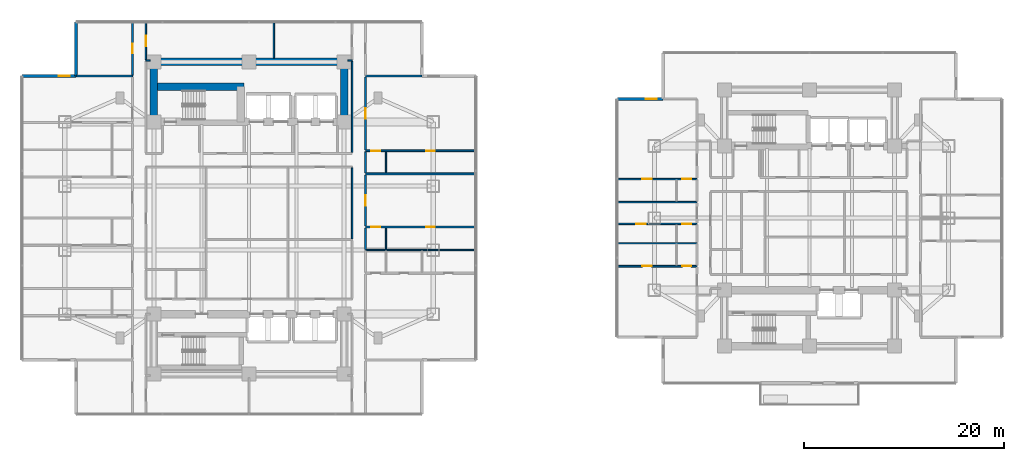
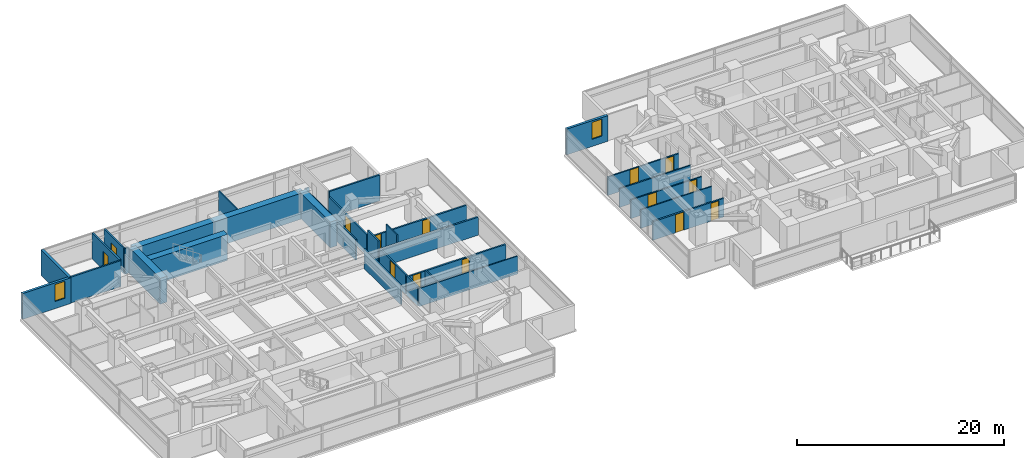
# One storey, part 17 of 27: 31 walls, 14 doors, 2 windows, 16 openings.
"""IFC4 building model written with IfcOpenShell, lengths in metres."""

from ifc_helpers import new_model, si_unit, direction, frame, frame_2d, origin, place, context, subcontext, project, spatial, rectangle, extrude, material, layer, layer_set, type_object, element, fill, save


model = new_model("IFC4")

# Units and contexts
model_context = context("Model", 3, precision=1e-05, world=origin(), true_north=direction((0.0, 1.0)))
body_context = subcontext(model_context, "Body", "Model", "MODEL_VIEW")
ifc_project = project(units=[si_unit("LENGTHUNIT", "METRE"), si_unit("AREAUNIT", "SQUARE_METRE"), si_unit("VOLUMEUNIT", "CUBIC_METRE"), si_unit("PLANEANGLEUNIT", "RADIAN"), si_unit("MASSUNIT", "GRAM", prefix="KILO")], contexts=[model_context])

# Site, building, storey
site_placement = place(None, origin())
site = spatial("IfcSite", under=ifc_project, at=site_placement, CompositionType="ELEMENT")
building_placement = place(site_placement, origin())
building = spatial("IfcBuilding", under=site, at=building_placement, Name="Mirazonda Arch Towers", CompositionType="ELEMENT")
storey_placement = place(building_placement, frame((0.0, 0.0, 42.199951171875)))
storey = spatial("IfcBuildingStorey", under=building, at=storey_placement, Name="L11", CompositionType="ELEMENT", Elevation=42.199951171875)

# Walls
ifc_material_1 = material(Name="Concrete C60/75", Category="concrete")
ifc_layer_1 = layer(ifc_material_1, 0.75, Name="WALL-CORE-750")
ifc_layer_set_1 = layer_set([ifc_layer_1], Name="Concrete C60/75")
wall_type_1 = type_object("IfcWallType", Name="WALL-CORE-750", PredefinedType="SHEAR", material=ifc_layer_set_1)
wall_1_placement = place(storey_placement, frame((11.0, 43.60009765625, 0.0), z_axis=(0.0, 0.0, 1.0), x_axis=(1.0, 0.0, 0.0)))
element("IfcWall", 1, at=wall_1_placement, inside=storey, type_object=wall_type_1, Name="L11 T1N-N Core Shear Wall", PredefinedType="SHEAR", context=body_context, shape_type="SweptSolid", body=[
    extrude(rectangle(XDim=19.0, YDim=0.75, at=frame_2d((9.5, 0.0))), origin(), (0.0, 0.0, 1.0), 3.06005859375),
])
for number, where, z_axis, x_axis, name in (
    (2, (11.0, 37.60009765625, 0.0), (0.0, 0.0, 1.0), (0.0, 1.0, 0.0), "L11 T1N-W Core Shear Wall"),
    (3, (30.0, 37.60009765625, 0.0), (0.0, 0.0, 1.0), (0.0, 1.0, 0.0), "L11 T1N-E Core Shear Wall"),
):
    element("IfcWall", number, at=place(storey_placement, frame(where, z_axis=z_axis, x_axis=x_axis)), inside=storey, type_object=wall_type_1, Name=name, PredefinedType="SHEAR", context=body_context, shape_type="SweptSolid", body=[
        extrude(rectangle(XDim=6.0, YDim=0.75, at=frame_2d((3.0, 0.0))), origin(), (0.0, 0.0, 1.0), 3.06005859375),
    ])
wall_2_placement = place(storey_placement, frame((11.0, 41.14306640625, 0.0), z_axis=(0.0, 0.0, 1.0), x_axis=(1.0, 0.0, 0.0)))
element("IfcWall", 4, at=wall_2_placement, inside=storey, type_object=wall_type_1, Name="L11 T1N-STN Core Shear Wall", PredefinedType="SHEAR", context=body_context, shape_type="SweptSolid", body=[
    extrude(rectangle(XDim=9.0, YDim=0.75, at=frame_2d((4.5, 0.0))), origin(), (0.0, 0.0, 1.0), 3.06005859375),
])

# Wall, opening, window
ifc_material_2 = material(Name="Precast Concrete C40/50", Category="concrete")
ifc_layer_2 = layer(ifc_material_2, 0.280029296875, Name="WALL-EXT-WALL-280")
ifc_layer_set_2 = layer_set([ifc_layer_2], Name="Precast Concrete C40/50")
wall_type_2 = type_object("IfcWallType", Name="WALL-EXT-WALL-280", PredefinedType="SOLIDWALL", material=ifc_layer_set_2)
wall_3_placement = place(storey_placement, frame((3.219970703125, 42.18798828125, 0.0), z_axis=(0.0, 0.0, 1.0), x_axis=(-1.0, 0.0, 0.0)))
wall_3 = element("IfcWall", 5, at=wall_3_placement, inside=storey, type_object=wall_type_2, Name="L11 T1 Corner Notch Return Wall WL-L11-T1-CNW1", PredefinedType="SOLIDWALL", context=body_context, shape_type="SweptSolid", body=[
    extrude(rectangle(XDim=5.3798828125, YDim=0.280029296875, at=frame_2d((2.68994140625, 0.0))), origin(), (0.0, 0.0, 1.0), 3.0400390625),
])
opening_1_placement = place(wall_3_placement, frame((0.64990234375, 0.0, 0.85009765625)))
opening_1 = element("IfcOpeningElement", 6, at=opening_1_placement, cuts=wall_3, Name="Opening WN-108", PredefinedType="OPENING", context=body_context, shape_type="SweptSolid", body=[
    extrude(rectangle(XDim=1.10009765625, YDim=2.0, at=frame_2d((0.550048828125, 1.0))), frame((0.0, 0.14990234375, 0.0), z_axis=(0.0, -1.0, 0.0), x_axis=(1.0, 0.0, 0.0)), (0.0, 0.0, 1.0), 0.300048828125),
])
ifc_material_3 = material(Name="Insulated Low-E Solar Glass", Category="glass")
window_type = type_object("IfcWindowType", Name="WIN-NOTCH-1100x2000", PartitioningType="SINGLE_PANEL", PredefinedType="WINDOW", material=ifc_material_3)
window_1_placement = place(opening_1_placement, origin())
window_1 = element("IfcWindow", 7, at=window_1_placement, inside=storey, type_object=window_type, Name="L11 Punched Facade Window WN-L11-T1-CNW1", OverallHeight=2.0, OverallWidth=1.10009765625, PartitioningType="SINGLE_PANEL", PredefinedType="WINDOW", context=body_context, shape_type="SweptSolid", body=[
    extrude(rectangle(XDim=1.10009765625, YDim=2.0, at=frame_2d((0.550048828125, 1.0))), frame((0.0, 0.030029296875, 0.0), z_axis=(0.0, -1.0, 0.0), x_axis=(1.0, 0.0, 0.0)), (0.0, 0.0, 1.0), 0.06005859375),
])
fill(opening_1, window_1)

# Wall
wall_4_placement = place(storey_placement, frame((3.219970703125, 47.568115234375, 0.0), z_axis=(0.0, 0.0, 1.0), x_axis=(0.0, -1.0, 0.0)))
element("IfcWall", 8, at=wall_4_placement, inside=storey, type_object=wall_type_2, Name="L11 T1 Corner Notch Return Wall WL-L11-T1-CNW2", PredefinedType="SOLIDWALL", context=body_context, shape_type="SweptSolid", body=[
    extrude(rectangle(XDim=5.380126953125, YDim=0.280029296875, at=frame_2d((2.68994140625, 0.0))), origin(), (0.0, 0.0, 1.0), 3.0400390625),
])

# Wall, opening, window
wall_5_placement = place(storey_placement, frame((61.8720703125, 39.89990234375, 0.0), z_axis=(0.0, 0.0, 1.0), x_axis=(-1.0, 0.0, 0.0)))
wall_5 = element("IfcWall", 9, at=wall_5_placement, inside=storey, type_object=wall_type_2, Name="L11 T2 Corner Notch Return Wall WL-L11-T2-CNW1", PredefinedType="SOLIDWALL", context=body_context, shape_type="SweptSolid", body=[
    extrude(rectangle(XDim=4.580078125, YDim=0.280029296875, at=frame_2d((2.2900390625, 0.0))), origin(), (0.0, 0.0, 1.0), 3.0400390625),
])
opening_2_placement = place(wall_5_placement, frame((0.64990234375, 0.0, 0.85009765625)))
opening_2 = element("IfcOpeningElement", 10, at=opening_2_placement, cuts=wall_5, Name="Opening WN-108", PredefinedType="OPENING", context=body_context, shape_type="SweptSolid", body=[
    extrude(rectangle(XDim=1.10009765625, YDim=2.0, at=frame_2d((0.550048828125, 1.0))), frame((0.0, 0.14990234375, 0.0), z_axis=(0.0, -1.0, 0.0), x_axis=(1.0, 0.0, 0.0)), (0.0, 0.0, 1.0), 0.300048828125),
])
window_2_placement = place(opening_2_placement, origin())
window_2 = element("IfcWindow", 11, at=window_2_placement, inside=storey, type_object=window_type, Name="L11 Punched Facade Window WN-L11-T2-CNW1", OverallHeight=2.0, OverallWidth=1.10009765625, PartitioningType="SINGLE_PANEL", PredefinedType="WINDOW", context=body_context, shape_type="SweptSolid", body=[
    extrude(rectangle(XDim=1.10009765625, YDim=2.0, at=frame_2d((0.550048828125, 1.0))), frame((0.0, 0.030029296875, 0.0), z_axis=(0.0, -1.0, 0.0), x_axis=(1.0, 0.0, 0.0)), (0.0, 0.0, 1.0), 0.06005859375),
])
fill(opening_2, window_2)

# Wall, openings, doors
ifc_material_4 = material(Name="Fire-Rated Gypsum Stud Partition")
ifc_layer_3 = layer(ifc_material_4, 0.14990234375, Name="WALL-PART-CORR-150")
ifc_layer_set_3 = layer_set([ifc_layer_3], Name="Fire-Rated Gypsum Stud Partition")
wall_type_3 = type_object("IfcWallType", Name="WALL-PART-CORR-150", PredefinedType="PARTITIONING", material=ifc_layer_set_3)
wall_6_placement = place(storey_placement, frame((57.2919921875, 27.412109375, 0.0), z_axis=(0.0, 0.0, 1.0), x_axis=(1.0, 0.0, 0.0)))
wall_6 = element("IfcWall", 12, at=wall_6_placement, inside=storey, type_object=wall_type_3, Name="L11 Interior Partition 034", PredefinedType="PARTITIONING", context=body_context, shape_type="SweptSolid", body=[
    extrude(rectangle(XDim=7.9580078125, YDim=0.14990234375, at=frame_2d((3.97900390625, 0.0))), origin(), (0.0, 0.0, 1.0), 2.196044921875),
])
opening_3_placement = place(wall_6_placement, frame((1.904052734375, 0.0, 0.0)))
opening_3 = element("IfcOpeningElement", 13, at=opening_3_placement, cuts=wall_6, Name="Opening DR-104", PredefinedType="OPENING", context=body_context, shape_type="SweptSolid", body=[
    extrude(rectangle(XDim=0.949951171875, YDim=2.14990234375, at=frame_2d((0.47509765625, 1.074951171875))), frame((0.0, 0.0849609375, 0.0), z_axis=(0.0, -1.0, 0.0), x_axis=(1.0, 0.0, 0.0)), (0.0, 0.0, 1.0), 0.169921875),
])
opening_4_placement = place(wall_6_placement, frame((6.468017578125, 0.0, 0.0)))
opening_4 = element("IfcOpeningElement", 14, at=opening_4_placement, cuts=wall_6, Name="Opening DR-120", PredefinedType="OPENING", context=body_context, shape_type="SweptSolid", body=[
    extrude(rectangle(XDim=0.89990234375, YDim=2.10009765625, at=frame_2d((0.449951171875, 1.050048828125))), frame((0.0, 0.0849609375, 0.0), z_axis=(0.0, -1.0, 0.0), x_axis=(1.0, 0.0, 0.0)), (0.0, 0.0, 1.0), 0.169921875),
])
ifc_material_5 = material(Name="Architectural Brushed Steel S355", Category="steel")
door_type_1 = type_object("IfcDoorType", Name="DOOR-ROOM-950", OperationType="NOTDEFINED", PredefinedType="DOOR", material=ifc_material_5)
door_1_placement = place(opening_3_placement, origin())
door_1 = element("IfcDoor", 15, at=door_1_placement, inside=storey, type_object=door_type_1, Name="L11 Guestroom Study 2 Door", OperationType="SINGLE_SWING_LEFT", OverallHeight=2.14990234375, OverallWidth=0.949951171875, PredefinedType="DOOR", context=body_context, shape_type="SweptSolid", body=[
    extrude(rectangle(XDim=0.949951171875, YDim=2.14990234375, at=frame_2d((0.47509765625, 1.074951171875))), frame((0.0, 0.02490234375, 0.0), z_axis=(0.0, -1.0, 0.0), x_axis=(1.0, 0.0, 0.0)), (0.0, 0.0, 1.0), 0.050048828125),
])
fill(opening_3, door_1)
door_type_2 = type_object("IfcDoorType", Name="DOOR-WC-900", OperationType="NOTDEFINED", PredefinedType="DOOR", material=ifc_material_5)
door_2_placement = place(opening_4_placement, origin())
door_2 = element("IfcDoor", 16, at=door_2_placement, inside=storey, type_object=door_type_2, Name="L11 En-Suite Bathroom 2 Door", OperationType="SINGLE_SWING_RIGHT", OverallHeight=2.10009765625, OverallWidth=0.89990234375, PredefinedType="DOOR", context=body_context, shape_type="SweptSolid", body=[
    extrude(rectangle(XDim=0.89990234375, YDim=2.10009765625, at=frame_2d((0.449951171875, 1.050048828125))), frame((0.0, 0.02490234375, 0.0), z_axis=(0.0, -1.0, 0.0), x_axis=(1.0, 0.0, 0.0)), (0.0, 0.0, 1.0), 0.050048828125),
])
fill(opening_4, door_2)

# Wall
wall_7_placement = place(storey_placement, frame((57.2919921875, 29.595947265625, 0.0), z_axis=(0.0, 0.0, 1.0), x_axis=(1.0, 0.0, 0.0)))
element("IfcWall", 17, at=wall_7_placement, inside=storey, type_object=wall_type_3, Name="L11 Interior Partition 037", PredefinedType="PARTITIONING", context=body_context, shape_type="SweptSolid", body=[
    extrude(rectangle(XDim=7.9580078125, YDim=0.14990234375, at=frame_2d((3.97900390625, 0.0))), origin(), (0.0, 0.0, 1.0), 2.196044921875),
])

# Wall, openings, doors
wall_8_placement = place(storey_placement, frame((57.2919921875, 31.89599609375, 0.0), z_axis=(0.0, 0.0, 1.0), x_axis=(1.0, 0.0, 0.0)))
wall_8 = element("IfcWall", 18, at=wall_8_placement, inside=storey, type_object=wall_type_3, Name="L11 Interior Partition 040", PredefinedType="PARTITIONING", context=body_context, shape_type="SweptSolid", body=[
    extrude(rectangle(XDim=7.9580078125, YDim=0.14990234375, at=frame_2d((3.97900390625, 0.0))), origin(), (0.0, 0.0, 1.0), 2.196044921875),
])
opening_5_placement = place(wall_8_placement, frame((2.50390625, 0.0, 0.0)))
opening_5 = element("IfcOpeningElement", 19, at=opening_5_placement, cuts=wall_8, Name="Opening DR-104", PredefinedType="OPENING", context=body_context, shape_type="SweptSolid", body=[
    extrude(rectangle(XDim=0.949951171875, YDim=2.14990234375, at=frame_2d((0.47509765625, 1.074951171875))), frame((0.0, 0.0849609375, 0.0), z_axis=(0.0, -1.0, 0.0), x_axis=(1.0, 0.0, 0.0)), (0.0, 0.0, 1.0), 0.169921875),
])
opening_6_placement = place(wall_8_placement, frame((6.468017578125, 0.0, 0.0)))
opening_6 = element("IfcOpeningElement", 20, at=opening_6_placement, cuts=wall_8, Name="Opening DR-120", PredefinedType="OPENING", context=body_context, shape_type="SweptSolid", body=[
    extrude(rectangle(XDim=0.89990234375, YDim=2.10009765625, at=frame_2d((0.449951171875, 1.050048828125))), frame((0.0, 0.0849609375, 0.0), z_axis=(0.0, -1.0, 0.0), x_axis=(1.0, 0.0, 0.0)), (0.0, 0.0, 1.0), 0.169921875),
])
door_3_placement = place(opening_5_placement, origin())
door_3 = element("IfcDoor", 21, at=door_3_placement, inside=storey, type_object=door_type_1, Name="L11 Guestroom Study 3 Door", OperationType="SINGLE_SWING_RIGHT", OverallHeight=2.14990234375, OverallWidth=0.949951171875, PredefinedType="DOOR", context=body_context, shape_type="SweptSolid", body=[
    extrude(rectangle(XDim=0.949951171875, YDim=2.14990234375, at=frame_2d((0.47509765625, 1.074951171875))), frame((0.0, 0.02490234375, 0.0), z_axis=(0.0, -1.0, 0.0), x_axis=(1.0, 0.0, 0.0)), (0.0, 0.0, 1.0), 0.050048828125),
])
fill(opening_5, door_3)
door_4_placement = place(opening_6_placement, origin())
door_4 = element("IfcDoor", 22, at=door_4_placement, inside=storey, type_object=door_type_2, Name="L11 En-Suite Bathroom 3 Door", OperationType="SINGLE_SWING_LEFT", OverallHeight=2.10009765625, OverallWidth=0.89990234375, PredefinedType="DOOR", context=body_context, shape_type="SweptSolid", body=[
    extrude(rectangle(XDim=0.89990234375, YDim=2.10009765625, at=frame_2d((0.449951171875, 1.050048828125))), frame((0.0, 0.02490234375, 0.0), z_axis=(0.0, -1.0, 0.0), x_axis=(1.0, 0.0, 0.0)), (0.0, 0.0, 1.0), 0.050048828125),
])
fill(opening_6, door_4)

# Walls
for number, where, z_axis, x_axis, name in (
    (23, (10.199951171875, 43.75, 0.0), (0.0, 0.0, 1.0), (1.0, 0.0, 0.0), "L11 Interior Partition 063"),
    (24, (30.3701171875, 43.75, 0.0), (0.0, 0.0, 1.0), (1.0, 0.0, 0.0), "L11 Interior Partition 064"),
):
    element("IfcWall", number, at=place(storey_placement, frame(where, z_axis=z_axis, x_axis=x_axis)), inside=storey, type_object=wall_type_3, Name=name, PredefinedType="PARTITIONING", context=body_context, shape_type="SweptSolid", body=[
        extrude(rectangle(XDim=0.429931640625, YDim=0.14990234375, at=frame_2d((0.21484375, 0.0))), origin(), (0.0, 0.0, 1.0), 3.06005859375),
    ])

# Wall, opening, door
wall_9_placement = place(storey_placement, frame((10.199951171875, 43.8349609375, 0.0), z_axis=(0.0, 0.0, 1.0), x_axis=(0.0, 1.0, 0.0)))
wall_9 = element("IfcWall", 25, at=wall_9_placement, inside=storey, type_object=wall_type_3, Name="L11 Interior Partition 084", PredefinedType="PARTITIONING", context=body_context, shape_type="SweptSolid", body=[
    extrude(rectangle(XDim=3.733154296875, YDim=0.14990234375, at=frame_2d((1.86669921875, 0.0))), origin(), (0.0, 0.0, 1.0), 3.06005859375),
])
opening_7_placement = place(wall_9_placement, frame((1.341552734375, 0.0, 0.0)))
opening_7 = element("IfcOpeningElement", 26, at=opening_7_placement, cuts=wall_9, Name="Opening DR-121", PredefinedType="OPENING", context=body_context, shape_type="SweptSolid", body=[
    extrude(rectangle(XDim=1.050048828125, YDim=2.199951171875, at=frame_2d((0.52490234375, 1.10009765625))), frame((0.0, 0.0849609375, 0.0), z_axis=(0.0, -1.0, 0.0), x_axis=(1.0, 0.0, 0.0)), (0.0, 0.0, 1.0), 0.169921875),
])
door_type_3 = type_object("IfcDoorType", Name="DOOR-SUITE-FD60-1050", OperationType="NOTDEFINED", PredefinedType="DOOR", material=ifc_material_5)
door_5_placement = place(opening_7_placement, origin())
door_5 = element("IfcDoor", 27, at=door_5_placement, inside=storey, type_object=door_type_3, Name="L11 North Bay Sunroom West Door", OperationType="SINGLE_SWING_LEFT", OverallHeight=2.199951171875, OverallWidth=1.050048828125, PredefinedType="DOOR", context=body_context, shape_type="SweptSolid", body=[
    extrude(rectangle(XDim=1.050048828125, YDim=2.199951171875, at=frame_2d((0.52490234375, 1.10009765625))), frame((0.0, 0.02490234375, 0.0), z_axis=(0.0, -1.0, 0.0), x_axis=(1.0, 0.0, 0.0)), (0.0, 0.0, 1.0), 0.050048828125),
])
fill(opening_7, door_5)

# Walls
wall_10_placement = place(storey_placement, frame((22.971923828125, 43.969970703125, 0.0), z_axis=(0.0, 0.0, 1.0), x_axis=(0.0, 1.0, 0.0)))
element("IfcWall", 28, at=wall_10_placement, inside=storey, type_object=wall_type_3, Name="L11 Interior Partition 096", PredefinedType="PARTITIONING", context=body_context, shape_type="SweptSolid", body=[
    extrude(rectangle(XDim=3.59814453125, YDim=0.14990234375, at=frame_2d((1.799072265625, 0.0))), origin(), (0.0, 0.0, 1.0), 3.06005859375),
])
wall_11_placement = place(storey_placement, frame((30.800048828125, 25.925048828125, 0.0), z_axis=(0.0, 0.0, 1.0), x_axis=(0.0, 1.0, 0.0)))
element("IfcWall", 29, at=wall_11_placement, inside=storey, type_object=wall_type_3, Name="L11 Interior Partition 110", PredefinedType="PARTITIONING", context=body_context, shape_type="SweptSolid", body=[
    extrude(rectangle(XDim=7.08984375, YDim=0.14990234375, at=frame_2d((3.544921875, 0.0))), origin(), (0.0, 0.0, 1.0), 2.279052734375),
])
wall_12_placement = place(storey_placement, frame((30.800048828125, 34.570068359375, 0.0), z_axis=(0.0, 0.0, 1.0), x_axis=(0.0, 1.0, 0.0)))
element("IfcWall", 30, at=wall_12_placement, inside=storey, type_object=wall_type_3, Name="L11 Interior Partition 111", PredefinedType="PARTITIONING", context=body_context, shape_type="SweptSolid", body=[
    extrude(rectangle(XDim=9.094970703125, YDim=0.14990234375, at=frame_2d((4.54736328125, 0.0))), origin(), (0.0, 0.0, 1.0), 2.43603515625),
])

# Wall, openings, doors
ifc_material_6 = material(Name="Fire-Rated Gypsum Twin-Stud Assembly")
ifc_layer_4 = layer(ifc_material_6, 0.179931640625, Name="WALL-PART-DEMISE-180")
ifc_layer_set_4 = layer_set([ifc_layer_4], Name="Fire-Rated Gypsum Twin-Stud Assembly")
wall_type_4 = type_object("IfcWallType", Name="WALL-PART-DEMISE-180", PredefinedType="PARTITIONING", material=ifc_layer_set_4)
wall_13_placement = place(storey_placement, frame((57.2919921875, 23.19189453125, 0.0), z_axis=(0.0, 0.0, 1.0), x_axis=(1.0, 0.0, 0.0)))
wall_13 = element("IfcWall", 31, at=wall_13_placement, inside=storey, type_object=wall_type_4, Name="L11 Interior Partition 025", PredefinedType="PARTITIONING", context=body_context, shape_type="SweptSolid", body=[
    extrude(rectangle(XDim=7.9580078125, YDim=0.179931640625, at=frame_2d((3.97900390625, 0.0))), origin(), (0.0, 0.0, 1.0), 2.196044921875),
])
opening_8_placement = place(wall_13_placement, frame((2.50390625, 0.0, 0.0)))
opening_8 = element("IfcOpeningElement", 32, at=opening_8_placement, cuts=wall_13, Name="Opening DR-104", PredefinedType="OPENING", context=body_context, shape_type="SweptSolid", body=[
    extrude(rectangle(XDim=0.949951171875, YDim=2.14990234375, at=frame_2d((0.47509765625, 1.074951171875))), frame((0.0, 0.099853515625, 0.0), z_axis=(0.0, -1.0, 0.0), x_axis=(1.0, 0.0, 0.0)), (0.0, 0.0, 1.0), 0.199951171875),
])
opening_9_placement = place(wall_13_placement, frame((6.468017578125, 0.0, 0.0)))
opening_9 = element("IfcOpeningElement", 33, at=opening_9_placement, cuts=wall_13, Name="Opening DR-120", PredefinedType="OPENING", context=body_context, shape_type="SweptSolid", body=[
    extrude(rectangle(XDim=0.89990234375, YDim=2.10009765625, at=frame_2d((0.449951171875, 1.050048828125))), frame((0.0, 0.099853515625, 0.0), z_axis=(0.0, -1.0, 0.0), x_axis=(1.0, 0.0, 0.0)), (0.0, 0.0, 1.0), 0.199951171875),
])
door_6_placement = place(opening_8_placement, origin())
door_6 = element("IfcDoor", 34, at=door_6_placement, inside=storey, type_object=door_type_1, Name="L11 Guestroom Study 1 Door", OperationType="SINGLE_SWING_RIGHT", OverallHeight=2.14990234375, OverallWidth=0.949951171875, PredefinedType="DOOR", context=body_context, shape_type="SweptSolid", body=[
    extrude(rectangle(XDim=0.949951171875, YDim=2.14990234375, at=frame_2d((0.47509765625, 1.074951171875))), frame((0.0, 0.02490234375, 0.0), z_axis=(0.0, -1.0, 0.0), x_axis=(1.0, 0.0, 0.0)), (0.0, 0.0, 1.0), 0.050048828125),
])
fill(opening_8, door_6)
door_7_placement = place(opening_9_placement, origin())
door_7 = element("IfcDoor", 35, at=door_7_placement, inside=storey, type_object=door_type_2, Name="L11 En-Suite Bathroom 1 Door", OperationType="SINGLE_SWING_LEFT", OverallHeight=2.10009765625, OverallWidth=0.89990234375, PredefinedType="DOOR", context=body_context, shape_type="SweptSolid", body=[
    extrude(rectangle(XDim=0.89990234375, YDim=2.10009765625, at=frame_2d((0.449951171875, 1.050048828125))), frame((0.0, 0.02490234375, 0.0), z_axis=(0.0, -1.0, 0.0), x_axis=(1.0, 0.0, 0.0)), (0.0, 0.0, 1.0), 0.050048828125),
])
fill(opening_9, door_7)

wall_14_placement = place(storey_placement, frame((32.139892578125, 27.10009765625, 0.0), z_axis=(0.0, 0.0, 1.0), x_axis=(1.0, 0.0, 0.0)))
wall_14 = element("IfcWall", 36, at=wall_14_placement, inside=storey, type_object=wall_type_4, Name="L11 Interior Partition 033", PredefinedType="PARTITIONING", context=body_context, shape_type="SweptSolid", body=[
    extrude(rectangle(XDim=11.02001953125, YDim=0.179931640625, at=frame_2d((5.510009765625, 0.0))), origin(), (0.0, 0.0, 1.0), 2.125),
])
opening_10_placement = place(wall_14_placement, frame((6.0849609375, 0.0, 0.0)))
opening_10 = element("IfcOpeningElement", 37, at=opening_10_placement, cuts=wall_14, Name="Opening DR-128", PredefinedType="OPENING", context=body_context, shape_type="SweptSolid", body=[
    extrude(rectangle(XDim=0.85009765625, YDim=2.010009765625, at=frame_2d((0.425048828125, 1.0048828125))), frame((0.0, 0.099853515625, 0.0), z_axis=(0.0, -1.0, 0.0), x_axis=(1.0, 0.0, 0.0)), (0.0, 0.0, 1.0), 0.199951171875),
])
opening_11_placement = place(wall_14_placement, frame((0.590087890625, 0.0, 0.0)))
opening_11 = element("IfcOpeningElement", 38, at=opening_11_placement, cuts=wall_14, Name="Opening DR-120", PredefinedType="OPENING", context=body_context, shape_type="SweptSolid", body=[
    extrude(rectangle(XDim=0.89990234375, YDim=2.10009765625, at=frame_2d((0.449951171875, 1.050048828125))), frame((0.0, 0.099853515625, 0.0), z_axis=(0.0, -1.0, 0.0), x_axis=(1.0, 0.0, 0.0)), (0.0, 0.0, 1.0), 0.199951171875),
])
door_type_4 = type_object("IfcDoorType", Name="DOOR-RISER-FD60-850", OperationType="NOTDEFINED", PredefinedType="DOOR", material=ifc_material_5)
door_8_placement = place(opening_10_placement, origin())
door_8 = element("IfcDoor", 39, at=door_8_placement, inside=storey, type_object=door_type_4, Name="L11 Studio 2 Galley Kitchen Door", OperationType="SINGLE_SWING_RIGHT", OverallHeight=2.010009765625, OverallWidth=0.85009765625, PredefinedType="DOOR", context=body_context, shape_type="SweptSolid", body=[
    extrude(rectangle(XDim=0.85009765625, YDim=2.010009765625, at=frame_2d((0.425048828125, 1.0048828125))), frame((0.0, 0.02490234375, 0.0), z_axis=(0.0, -1.0, 0.0), x_axis=(1.0, 0.0, 0.0)), (0.0, 0.0, 1.0), 0.050048828125),
])
fill(opening_10, door_8)
door_9_placement = place(opening_11_placement, origin())
door_9 = element("IfcDoor", 40, at=door_9_placement, inside=storey, type_object=door_type_2, Name="L11 Studio 2 Bathroom Door", OperationType="SINGLE_SWING_LEFT", OverallHeight=2.10009765625, OverallWidth=0.89990234375, PredefinedType="DOOR", context=body_context, shape_type="SweptSolid", body=[
    extrude(rectangle(XDim=0.89990234375, YDim=2.10009765625, at=frame_2d((0.449951171875, 1.050048828125))), frame((0.0, 0.02490234375, 0.0), z_axis=(0.0, -1.0, 0.0), x_axis=(1.0, 0.0, 0.0)), (0.0, 0.0, 1.0), 0.050048828125),
])
fill(opening_11, door_9)

# Wall
wall_15_placement = place(storey_placement, frame((32.139892578125, 32.4169921875, 0.0), z_axis=(0.0, 0.0, 1.0), x_axis=(1.0, 0.0, 0.0)))
element("IfcWall", 41, at=wall_15_placement, inside=storey, type_object=wall_type_4, Name="L11 Interior Partition 044", PredefinedType="PARTITIONING", context=body_context, shape_type="SweptSolid", body=[
    extrude(rectangle(XDim=11.02001953125, YDim=0.179931640625, at=frame_2d((5.510009765625, 0.0))), origin(), (0.0, 0.0, 1.0), 2.125),
])

# Wall, openings, doors
wall_16_placement = place(storey_placement, frame((32.139892578125, 34.717041015625, 0.0), z_axis=(0.0, 0.0, 1.0), x_axis=(1.0, 0.0, 0.0)))
wall_16 = element("IfcWall", 42, at=wall_16_placement, inside=storey, type_object=wall_type_4, Name="L11 Interior Partition 049", PredefinedType="PARTITIONING", context=body_context, shape_type="SweptSolid", body=[
    extrude(rectangle(XDim=11.02001953125, YDim=0.179931640625, at=frame_2d((5.510009765625, 0.0))), origin(), (0.0, 0.0, 1.0), 2.125),
])
opening_12_placement = place(wall_16_placement, frame((6.0849609375, 0.0, 0.0)))
opening_12 = element("IfcOpeningElement", 43, at=opening_12_placement, cuts=wall_16, Name="Opening DR-128", PredefinedType="OPENING", context=body_context, shape_type="SweptSolid", body=[
    extrude(rectangle(XDim=0.85009765625, YDim=2.010009765625, at=frame_2d((0.425048828125, 1.0048828125))), frame((0.0, 0.099853515625, 0.0), z_axis=(0.0, -1.0, 0.0), x_axis=(1.0, 0.0, 0.0)), (0.0, 0.0, 1.0), 0.199951171875),
])
opening_13_placement = place(wall_16_placement, frame((0.590087890625, 0.0, 0.0)))
opening_13 = element("IfcOpeningElement", 44, at=opening_13_placement, cuts=wall_16, Name="Opening DR-120", PredefinedType="OPENING", context=body_context, shape_type="SweptSolid", body=[
    extrude(rectangle(XDim=0.89990234375, YDim=2.10009765625, at=frame_2d((0.449951171875, 1.050048828125))), frame((0.0, 0.099853515625, 0.0), z_axis=(0.0, -1.0, 0.0), x_axis=(1.0, 0.0, 0.0)), (0.0, 0.0, 1.0), 0.199951171875),
])
door_10_placement = place(opening_12_placement, origin())
door_10 = element("IfcDoor", 45, at=door_10_placement, inside=storey, type_object=door_type_4, Name="L11 Studio 3 Galley Kitchen Door", OperationType="SINGLE_SWING_LEFT", OverallHeight=2.010009765625, OverallWidth=0.85009765625, PredefinedType="DOOR", context=body_context, shape_type="SweptSolid", body=[
    extrude(rectangle(XDim=0.85009765625, YDim=2.010009765625, at=frame_2d((0.425048828125, 1.0048828125))), frame((0.0, 0.02490234375, 0.0), z_axis=(0.0, -1.0, 0.0), x_axis=(1.0, 0.0, 0.0)), (0.0, 0.0, 1.0), 0.050048828125),
])
fill(opening_12, door_10)
door_11_placement = place(opening_13_placement, origin())
door_11 = element("IfcDoor", 46, at=door_11_placement, inside=storey, type_object=door_type_2, Name="L11 Studio 3 Bathroom Door", OperationType="SINGLE_SWING_RIGHT", OverallHeight=2.10009765625, OverallWidth=0.89990234375, PredefinedType="DOOR", context=body_context, shape_type="SweptSolid", body=[
    extrude(rectangle(XDim=0.89990234375, YDim=2.10009765625, at=frame_2d((0.449951171875, 1.050048828125))), frame((0.0, 0.02490234375, 0.0), z_axis=(0.0, -1.0, 0.0), x_axis=(1.0, 0.0, 0.0)), (0.0, 0.0, 1.0), 0.050048828125),
])
fill(opening_13, door_11)

# Walls
for number, where, z_axis, x_axis, name in (
    (47, (3.239990234375, 42.18798828125, 0.0), (0.0, 0.0, 1.0), (1.0, 0.0, 0.0), "L11 Interior Partition 061"),
    (48, (32.139892578125, 42.18798828125, 0.0), (0.0, 0.0, 1.0), (1.0, 0.0, 0.0), "L11 Interior Partition 062"),
):
    element("IfcWall", number, at=place(storey_placement, frame(where, z_axis=z_axis, x_axis=x_axis)), inside=storey, type_object=wall_type_4, Name=name, PredefinedType="PARTITIONING", context=body_context, shape_type="SweptSolid", body=[
        extrude(rectangle(XDim=5.6201171875, YDim=0.179931640625, at=frame_2d((2.81005859375, 0.0))), origin(), (0.0, 0.0, 1.0), 3.06005859375),
    ])

# Wall, opening, door
wall_17_placement = place(storey_placement, frame((8.860107421875, 42.2880859375, 0.0), z_axis=(0.0, 0.0, 1.0), x_axis=(0.0, 1.0, 0.0)))
wall_17 = element("IfcWall", 49, at=wall_17_placement, inside=storey, type_object=wall_type_4, Name="L11 Interior Partition 078", PredefinedType="PARTITIONING", context=body_context, shape_type="SweptSolid", body=[
    extrude(rectangle(XDim=5.280029296875, YDim=0.179931640625, at=frame_2d((2.64013671875, 0.0))), origin(), (0.0, 0.0, 1.0), 3.06005859375),
])
opening_14_placement = place(wall_17_placement, frame((2.1650390625, 0.0, 0.0)))
opening_14 = element("IfcOpeningElement", 50, at=opening_14_placement, cuts=wall_17, Name="Opening DR-104", PredefinedType="OPENING", context=body_context, shape_type="SweptSolid", body=[
    extrude(rectangle(XDim=0.949951171875, YDim=2.14990234375, at=frame_2d((0.47509765625, 1.074951171875))), frame((0.0, 0.099853515625, 0.0), z_axis=(0.0, -1.0, 0.0), x_axis=(1.0, 0.0, 0.0)), (0.0, 0.0, 1.0), 0.199951171875),
])
door_12_placement = place(opening_14_placement, origin())
door_12 = element("IfcDoor", 51, at=door_12_placement, inside=storey, type_object=door_type_1, Name="L11 North Bay Sunroom Alcove West Door", OperationType="SINGLE_SWING_LEFT", OverallHeight=2.14990234375, OverallWidth=0.949951171875, PredefinedType="DOOR", context=body_context, shape_type="SweptSolid", body=[
    extrude(rectangle(XDim=0.949951171875, YDim=2.14990234375, at=frame_2d((0.47509765625, 1.074951171875))), frame((0.0, 0.02490234375, 0.0), z_axis=(0.0, -1.0, 0.0), x_axis=(1.0, 0.0, 0.0)), (0.0, 0.0, 1.0), 0.050048828125),
])
fill(opening_14, door_12)

# Wall
wall_18_placement = place(storey_placement, frame((32.139892578125, 24.87255859375, 0.0), z_axis=(0.0, 0.0, 1.0), x_axis=(0.0, 1.0, 0.0)))
element("IfcWall", 52, at=wall_18_placement, inside=storey, type_object=wall_type_4, Name="L11 Interior Partition 116", PredefinedType="PARTITIONING", context=body_context, shape_type="SweptSolid", body=[
    extrude(rectangle(XDim=2.12744140625, YDim=0.179931640625, at=frame_2d((1.063720703125, 0.0))), origin(), (0.0, 0.0, 1.0), 2.279052734375),
])

# Wall, opening, door
wall_19_placement = place(storey_placement, frame((32.139892578125, 27.199951171875, 0.0), z_axis=(0.0, 0.0, 1.0), x_axis=(0.0, 1.0, 0.0)))
wall_19 = element("IfcWall", 53, at=wall_19_placement, inside=storey, type_object=wall_type_4, Name="L11 Interior Partition 117", PredefinedType="PARTITIONING", context=body_context, shape_type="SweptSolid", body=[
    extrude(rectangle(XDim=5.116943359375, YDim=0.179931640625, at=frame_2d((2.55859375, 0.0))), origin(), (0.0, 0.0, 1.0), 2.279052734375),
])
opening_15_placement = place(wall_19_placement, frame((2.033447265625, 0.0, 0.0)))
opening_15 = element("IfcOpeningElement", 54, at=opening_15_placement, cuts=wall_19, Name="Opening DR-121", PredefinedType="OPENING", context=body_context, shape_type="SweptSolid", body=[
    extrude(rectangle(XDim=1.050048828125, YDim=2.199951171875, at=frame_2d((0.52490234375, 1.10009765625))), frame((0.0, 0.099853515625, 0.0), z_axis=(0.0, -1.0, 0.0), x_axis=(1.0, 0.0, 0.0)), (0.0, 0.0, 1.0), 0.199951171875),
])
door_13_placement = place(opening_15_placement, origin())
door_13 = element("IfcDoor", 55, at=door_13_placement, inside=storey, type_object=door_type_3, Name="L11 Studio Apartment 2 Living Salon Door", OperationType="SINGLE_SWING_LEFT", OverallHeight=2.199951171875, OverallWidth=1.050048828125, PredefinedType="DOOR", context=body_context, shape_type="SweptSolid", body=[
    extrude(rectangle(XDim=1.050048828125, YDim=2.199951171875, at=frame_2d((0.52490234375, 1.10009765625))), frame((0.0, 0.02490234375, 0.0), z_axis=(0.0, -1.0, 0.0), x_axis=(1.0, 0.0, 0.0)), (0.0, 0.0, 1.0), 0.050048828125),
])
fill(opening_15, door_13)

# Wall
wall_20_placement = place(storey_placement, frame((32.139892578125, 32.51708984375, 0.0), z_axis=(0.0, 0.0, 1.0), x_axis=(0.0, 1.0, 0.0)))
element("IfcWall", 56, at=wall_20_placement, inside=storey, type_object=wall_type_4, Name="L11 Interior Partition 118", PredefinedType="PARTITIONING", context=body_context, shape_type="SweptSolid", body=[
    extrude(rectangle(XDim=2.099853515625, YDim=0.179931640625, at=frame_2d((1.0498046875, 0.0))), origin(), (0.0, 0.0, 1.0), 3.06005859375),
])

# Wall, opening, door
wall_21_placement = place(storey_placement, frame((32.139892578125, 34.81689453125, 0.0), z_axis=(0.0, 0.0, 1.0), x_axis=(0.0, 1.0, 0.0)))
wall_21 = element("IfcWall", 57, at=wall_21_placement, inside=storey, type_object=wall_type_4, Name="L11 Interior Partition 119", PredefinedType="PARTITIONING", context=body_context, shape_type="SweptSolid", body=[
    extrude(rectangle(XDim=7.27099609375, YDim=0.179931640625, at=frame_2d((3.635498046875, 0.0))), origin(), (0.0, 0.0, 1.0), 2.43603515625),
])
opening_16_placement = place(wall_21_placement, frame((3.110595703125, 0.0, 0.0)))
opening_16 = element("IfcOpeningElement", 58, at=opening_16_placement, cuts=wall_21, Name="Opening DR-121", PredefinedType="OPENING", context=body_context, shape_type="SweptSolid", body=[
    extrude(rectangle(XDim=1.050048828125, YDim=2.199951171875, at=frame_2d((0.52490234375, 1.10009765625))), frame((0.0, 0.099853515625, 0.0), z_axis=(0.0, -1.0, 0.0), x_axis=(1.0, 0.0, 0.0)), (0.0, 0.0, 1.0), 0.199951171875),
])
door_14_placement = place(opening_16_placement, origin())
door_14 = element("IfcDoor", 59, at=door_14_placement, inside=storey, type_object=door_type_3, Name="L11 Studio Apartment 3 Living Salon Door", OperationType="SINGLE_SWING_RIGHT", OverallHeight=2.199951171875, OverallWidth=1.050048828125, PredefinedType="DOOR", context=body_context, shape_type="SweptSolid", body=[
    extrude(rectangle(XDim=1.050048828125, YDim=2.199951171875, at=frame_2d((0.52490234375, 1.10009765625))), frame((0.0, 0.02490234375, 0.0), z_axis=(0.0, -1.0, 0.0), x_axis=(1.0, 0.0, 0.0)), (0.0, 0.0, 1.0), 0.050048828125),
])
fill(opening_16, door_14)

# Walls
ifc_material_7 = material(Name="Acoustic Fire-Rated Gypsum Partition")
ifc_layer_5 = layer(ifc_material_7, 0.125, Name="WALL-PART-UNIT-125")
ifc_layer_set_5 = layer_set([ifc_layer_5], Name="Acoustic Fire-Rated Gypsum Partition")
wall_type_5 = type_object("IfcWallType", Name="WALL-PART-UNIT-125", PredefinedType="PARTITIONING", material=ifc_layer_set_5)
wall_22_placement = place(storey_placement, frame((32.139892578125, 24.800048828125, 0.0), z_axis=(0.0, 0.0, 1.0), x_axis=(1.0, 0.0, 0.0)))
element("IfcWall", 60, at=wall_22_placement, inside=storey, type_object=wall_type_5, Name="L11 Interior Partition 026", PredefinedType="PARTITIONING", context=body_context, shape_type="SweptSolid", body=[
    extrude(rectangle(XDim=11.02001953125, YDim=0.125, at=frame_2d((5.510009765625, 0.0))), origin(), (0.0, 0.0, 1.0), 2.125),
])
wall_23_placement = place(storey_placement, frame((57.2919921875, 25.491943359375, 0.0), z_axis=(0.0, 0.0, 1.0), x_axis=(1.0, 0.0, 0.0)))
element("IfcWall", 61, at=wall_23_placement, inside=storey, type_object=wall_type_5, Name="L11 Interior Partition 029", PredefinedType="PARTITIONING", context=body_context, shape_type="SweptSolid", body=[
    extrude(rectangle(XDim=7.9580078125, YDim=0.125, at=frame_2d((3.97900390625, 0.0))), origin(), (0.0, 0.0, 1.0), 2.196044921875),
])
wall_24_placement = place(storey_placement, frame((34.179931640625, 24.87255859375, 0.0), z_axis=(0.0, 0.0, 1.0), x_axis=(0.0, 1.0, 0.0)))
element("IfcWall", 62, at=wall_24_placement, inside=storey, type_object=wall_type_5, Name="L11 Interior Partition 122", PredefinedType="PARTITIONING", context=body_context, shape_type="SweptSolid", body=[
    extrude(rectangle(XDim=2.12744140625, YDim=0.125, at=frame_2d((1.063720703125, 0.0))), origin(), (0.0, 0.0, 1.0), 2.279052734375),
])
wall_25_placement = place(storey_placement, frame((34.179931640625, 32.51708984375, 0.0), z_axis=(0.0, 0.0, 1.0), x_axis=(0.0, 1.0, 0.0)))
element("IfcWall", 63, at=wall_25_placement, inside=storey, type_object=wall_type_5, Name="L11 Interior Partition 123", PredefinedType="PARTITIONING", context=body_context, shape_type="SweptSolid", body=[
    extrude(rectangle(XDim=2.099853515625, YDim=0.125, at=frame_2d((1.0498046875, 0.0))), origin(), (0.0, 0.0, 1.0), 3.06005859375),
])

save(model, "model.ifc")
